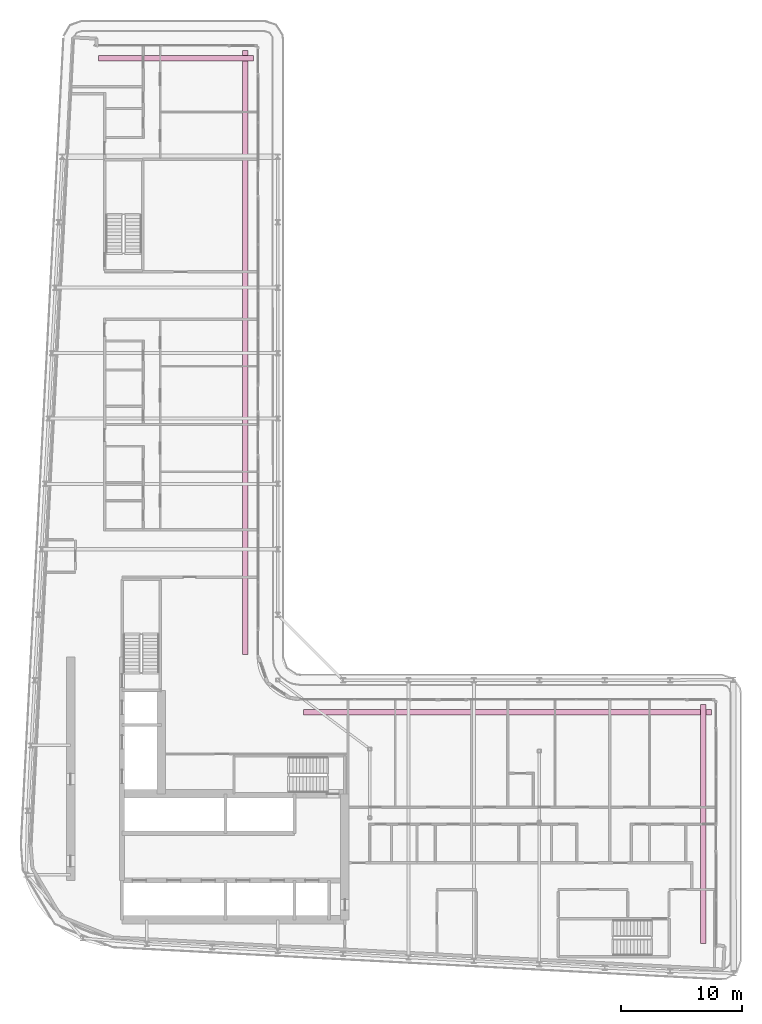
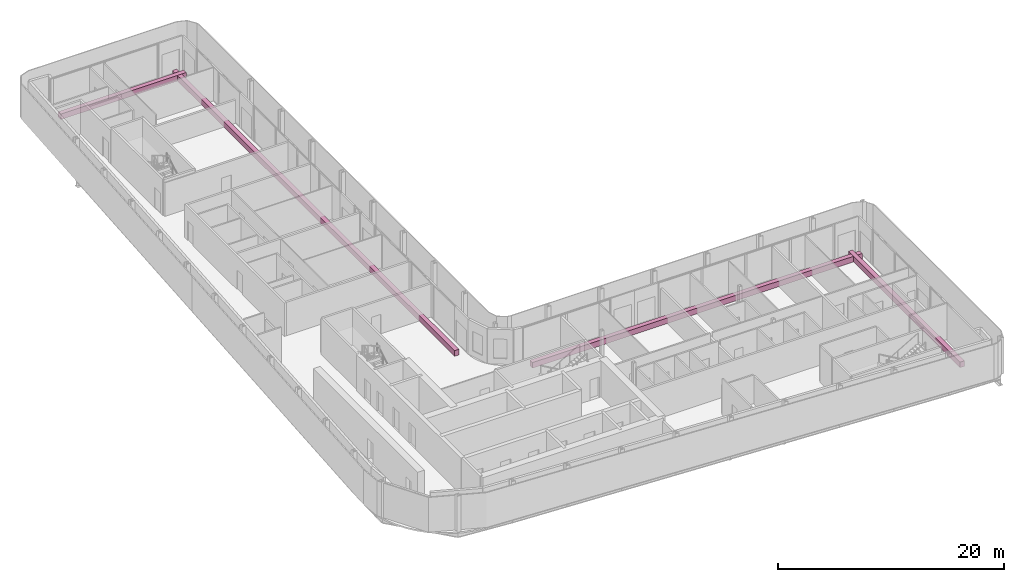
# One storey, part 22 of 22: 4 furniture elements.
"""IFC4 building model written with IfcOpenShell, lengths in metres."""

from ifc_helpers import new_model, si_unit, direction, frame, origin, origin_2d, place, context, subcontext, project, spatial, rectangle, extrude, material, type_object, element, save


model = new_model("IFC4")

# Units and contexts
model_context = context("Model", 3, precision=1e-05, world=origin(), true_north=direction((0.0, 1.0)))
body_context = subcontext(model_context, "Body", "Model", "MODEL_VIEW")
ifc_project = project(units=[si_unit("LENGTHUNIT", "METRE"), si_unit("AREAUNIT", "SQUARE_METRE"), si_unit("VOLUMEUNIT", "CUBIC_METRE"), si_unit("PLANEANGLEUNIT", "RADIAN"), si_unit("MASSUNIT", "GRAM", prefix="KILO")], contexts=[model_context])

# Site, building, storey
site_placement = place(None, origin())
site = spatial("IfcSite", under=ifc_project, at=site_placement, CompositionType="ELEMENT")
building_placement = place(site_placement, origin())
building = spatial("IfcBuilding", under=site, at=building_placement, Name="Kheshtan School and Residences Tower", CompositionType="ELEMENT")
storey_placement = place(building_placement, frame((0.0, 0.0, 251.300048828125)))
storey = spatial("IfcBuildingStorey", under=building, at=storey_placement, Name="L59", CompositionType="ELEMENT", Elevation=251.300048828125)

# Furniture
ifc_material = material(Name="Precast concrete C30/37 in terracotta finish", Category="masonry")
furniture_type = type_object("IfcFurnitureType", Name="Planter trough", AssemblyPlace="NOTDEFINED", PredefinedType="USERDEFINED", material=ifc_material)
furniture_1_placement = place(storey_placement, frame((39.196044921875, 96.925048828125, 0.0), z_axis=(0.0, 0.0, 1.0), x_axis=(1.0, 0.0, 0.0)))
element("IfcFurniture", 1, at=furniture_1_placement, inside=storey, type_object=furniture_type, Name="Planter L59", ObjectType="PLANTER", PredefinedType="USERDEFINED", context=body_context, shape_type="SweptSolid", body=[
    extrude(rectangle(XDim=12.80810546875, YDim=0.449951171875, at=origin_2d()), origin(), (0.0, 0.0, 1.0), 0.60009765625),
])
furniture_2_placement = place(storey_placement, frame((44.925048828125, 72.6650390625, 0.0), z_axis=(0.0, 0.0, 1.0), x_axis=(0.0, -1.0, 0.0)))
element("IfcFurniture", 2, at=furniture_2_placement, inside=storey, type_object=furniture_type, Name="Planter L59", ObjectType="PLANTER", PredefinedType="USERDEFINED", context=body_context, shape_type="SweptSolid", body=[
    extrude(rectangle(XDim=49.8701171875, YDim=0.449951171875, at=origin_2d()), origin(), (0.0, 0.0, 1.0), 0.60009765625),
])
furniture_3_placement = place(storey_placement, frame((66.56494140625, 42.925048828125, 0.0), z_axis=(0.0, 0.0, 1.0), x_axis=(1.0, 0.0, 0.0)))
element("IfcFurniture", 3, at=furniture_3_placement, inside=storey, type_object=furniture_type, Name="Planter L59", ObjectType="PLANTER", PredefinedType="USERDEFINED", context=body_context, shape_type="SweptSolid", body=[
    extrude(rectangle(XDim=33.669921875, YDim=0.449951171875, at=origin_2d()), origin(), (0.0, 0.0, 1.0), 0.60009765625),
])
furniture_4_placement = place(storey_placement, frame((82.72509765625, 33.73291015625, 0.0), z_axis=(0.0, 0.0, 1.0), x_axis=(0.0, -1.0, 0.0)))
element("IfcFurniture", 4, at=furniture_4_placement, inside=storey, type_object=furniture_type, Name="Planter L59", ObjectType="PLANTER", PredefinedType="USERDEFINED", context=body_context, shape_type="SweptSolid", body=[
    extrude(rectangle(XDim=19.73291015625, YDim=0.449951171875, at=origin_2d()), origin(), (0.0, 0.0, 1.0), 0.60009765625),
])

save(model, "model.ifc")
